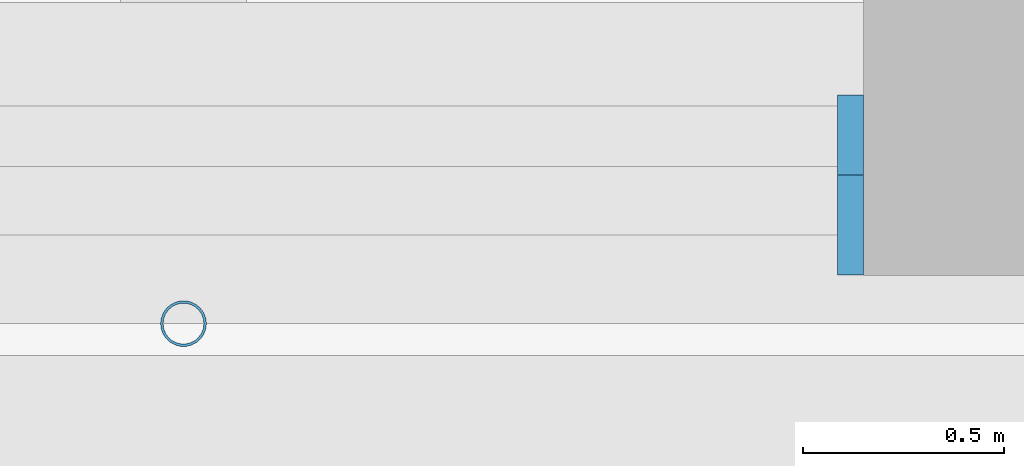
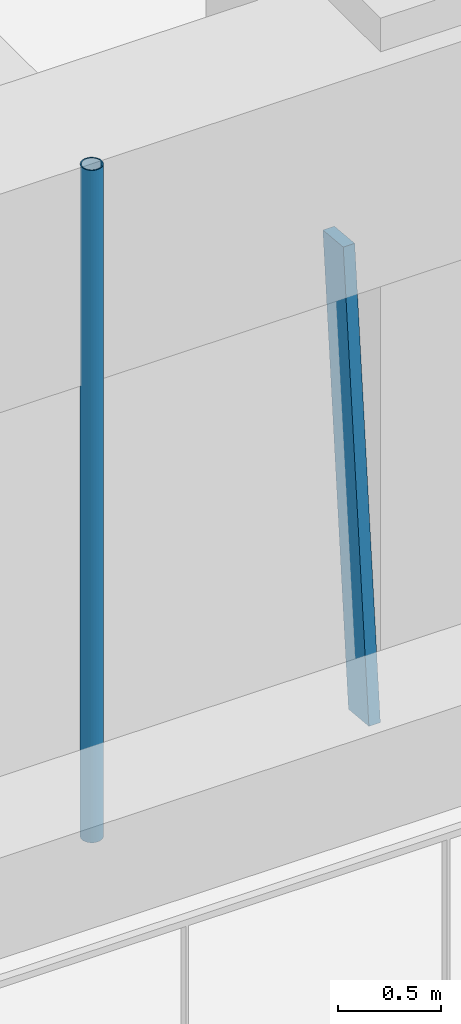
# One storey, part 4 of 24: 2 members, 1 element without a shape of its own.
"""IFC4 building model written with IfcOpenShell, lengths in metres."""

import ifcopenshell
import ifcopenshell.guid

model = None  # the IFC model being written
_history = None  # IfcOwnerHistory: only IFC2X3 demands one
_inside = {}  # id of a spatial element -> (the spatial element, [elements in it])
_under = {}  # id of a project, library or spatial element -> (it, [spatial elements below it])
_declared = {}  # id of a project -> (the project, [libraries it declares])
_typed = {}  # id of a type object -> (the type object, [elements of that type])
_made_of = {}  # id of a material, layer set ... -> (it, [elements and type objects made of it])


def new_model(schema):
    """Start an empty IFC model of exactly this schema.

    Asked for "IFC4X3", IfcOpenShell would pick the latest addendum, in which some entities
    have other attributes; the version numbers below select the first issue.
    IFC2X3 requires an IfcOwnerHistory on every rooted entity: one is made here for all.
    """
    global model, _history
    if schema == "IFC4X3":
        model = ifcopenshell.file(schema_version=(4, 3, 0, 0))
    else:
        model = ifcopenshell.file(schema=schema)
    _inside.clear()
    _under.clear()
    _declared.clear()
    _typed.clear()
    _made_of.clear()
    _history = None
    if model.schema == "IFC2X3":
        org = make("IfcOrganization", Name="unknown")
        user = make(
            "IfcPersonAndOrganization",
            ThePerson=make("IfcPerson", FamilyName="unknown"),
            TheOrganization=org,
        )
        app = make(
            "IfcApplication",
            ApplicationDeveloper=org,
            Version="unknown",
            ApplicationFullName="unknown",
            ApplicationIdentifier="unknown",
        )
        _history = make(
            "IfcOwnerHistory",
            OwningUser=user,
            OwningApplication=app,
            ChangeAction="ADDED",
            CreationDate=0,
        )
    return model


def make(cls, **values):
    """One entity of the class cls with the attributes given. An attribute that is None is left unset."""
    return model.create_entity(
        cls, **{name: value for name, value in values.items() if value is not None}
    )


def rooted(cls, **values):
    """An entity with a GlobalId (a new one), such as an element, a storey or a relation."""
    return make(cls, GlobalId=ifcopenshell.guid.new(), OwnerHistory=_history, **values)


def si_unit(unit_type, name, prefix=None):
    """IfcSIUnit, for example si_unit("LENGTHUNIT", "METRE", prefix="MILLI")."""
    return make("IfcSIUnit", UnitType=unit_type, Prefix=prefix, Name=name)


def assignment(units):
    """IfcUnitAssignment: the units of a project."""
    return None if units is None else make("IfcUnitAssignment", Units=units)


def point(xyz):
    """IfcCartesianPoint."""
    return None if xyz is None else make("IfcCartesianPoint", Coordinates=xyz)


def direction(xyz):
    """IfcDirection."""
    return None if xyz is None else make("IfcDirection", DirectionRatios=xyz)


def frame(location, z_axis=None, x_axis=None):
    """IfcAxis2Placement3D, a coordinate frame: its origin and axes. An axis left out is left unset."""
    return make(
        "IfcAxis2Placement3D",
        Location=point(location),
        Axis=direction(z_axis),
        RefDirection=direction(x_axis),
    )


def frame_2d(location, x_axis=None):
    """IfcAxis2Placement2D, a coordinate frame in the plane: its origin and x axis."""
    return make(
        "IfcAxis2Placement2D", Location=point(location), RefDirection=direction(x_axis)
    )


def origin():
    """The frame at (0, 0, 0) with its axes left unset."""
    return frame((0.0, 0.0, 0.0))


def origin_2d():
    """The frame at (0, 0) in the plane with its x axis left unset."""
    return frame_2d((0.0, 0.0))


def place(relative_to, where):
    """IfcLocalPlacement: puts the frame where relative to a parent placement (None: the world)."""
    return make(
        "IfcLocalPlacement", PlacementRelTo=relative_to, RelativePlacement=where
    )


def context(
    kind, dimensions, precision=None, world=None, true_north=None, identifier=None
):
    """IfcGeometricRepresentationContext, for example the 3D "Model" context."""
    return make(
        "IfcGeometricRepresentationContext",
        ContextIdentifier=identifier,
        ContextType=kind,
        CoordinateSpaceDimension=dimensions,
        Precision=precision,
        WorldCoordinateSystem=world,
        TrueNorth=true_north,
    )


def subcontext(parent, identifier, kind, view, scale=None):
    """IfcGeometricRepresentationSubContext, for example "Body" below "Model"."""
    return make(
        "IfcGeometricRepresentationSubContext",
        ContextIdentifier=identifier,
        ContextType=kind,
        ParentContext=parent,
        TargetScale=scale,
        TargetView=view,
    )


def project(units=None, contexts=None):
    """IfcProject with its units and contexts."""
    return rooted(
        "IfcProject",
        Name="project",
        RepresentationContexts=contexts,
        UnitsInContext=assignment(units),
    )


def spatial(cls, under=None, at=None, **own):
    """A site, building, storey or space (cls), placed at a placement, below another one or the project."""
    s = rooted(cls, ObjectPlacement=at, **own)
    if under is not None:
        _under.setdefault(under.id(), (under, []))[1].append(s)
    return s


def profile(cls, at=None, kind="AREA", **sizes):
    """A parametric profile (cls). Its sizes go by their IFC names, for example OverallWidth=200.0."""
    return make(cls, ProfileType=kind, Position=at, **sizes)


def rectangle(**sizes):
    """IfcRectangleProfileDef."""
    return profile("IfcRectangleProfileDef", **sizes)


def hollow_circle(**sizes):
    """IfcCircleHollowProfileDef."""
    return profile("IfcCircleHollowProfileDef", **sizes)


def extrude(swept, where, along, depth):
    """IfcExtrudedAreaSolid: the profile swept, set in the frame where, extruded along a direction by depth."""
    return make(
        "IfcExtrudedAreaSolid",
        SweptArea=swept,
        Position=where,
        ExtrudedDirection=direction(along),
        Depth=depth,
    )


def shape(context_of_items, identifier, shape_type, items):
    """IfcShapeRepresentation: the items that make up one representation, for example the "Body"."""
    return make(
        "IfcShapeRepresentation",
        ContextOfItems=context_of_items,
        RepresentationIdentifier=identifier,
        RepresentationType=shape_type,
        Items=items,
    )


def material(Name=None, Category=None):
    """IfcMaterial."""
    return make("IfcMaterial", Name=Name, Category=Category)


def material_profile(
    of_material, cross_section, Name=None, Category=None, Priority=None
):
    """IfcMaterialProfile: a cross section and its material."""
    return make(
        "IfcMaterialProfile",
        Name=Name,
        Material=of_material,
        Profile=cross_section,
        Priority=Priority,
        Category=Category,
    )


def profile_set(profiles, Name=None, composite=None):
    """IfcMaterialProfileSet."""
    return make(
        "IfcMaterialProfileSet",
        Name=Name,
        MaterialProfiles=profiles,
        CompositeProfile=composite,
    )


def made_of(thing, what):
    """Note that an element or type object is made of a material, layer set ...; save() writes the relation."""
    if what is not None:
        _made_of.setdefault(what.id(), (what, []))[1].append(thing)
    return thing


def type_object(cls, material=None, **own):
    """A type object (cls), such as IfcWallType, which elements share."""
    return made_of(rooted(cls, **own), material)


def element(
    cls,
    number,
    at=None,
    inside=None,
    cuts=None,
    type_object=None,
    material=None,
    context=None,
    identifier="Body",
    shape_type=None,
    held_by="IfcProductDefinitionShape",
    body=None,
    shapes=None,
    **own,
):
    """One element of the class cls, such as IfcWall. Its Tag is "e" and its number.

    at: its placement. inside: the storey or other place that contains it. cuts: it is an
    opening in that element (IfcRelVoidsElement). A single representation is given by context,
    identifier, shape_type and body (its items); several are given by shapes. held_by: the class
    of the entity that holds the representations. save() writes the other relations.
    """
    e = rooted(cls, Tag="e%d" % number, ObjectPlacement=at, **own)
    if body is not None:
        shapes = [shape(context, identifier, shape_type, body)]
    if shapes is not None:
        e.Representation = make(held_by, Representations=shapes)
    if inside is not None:
        _inside.setdefault(inside.id(), (inside, []))[1].append(e)
    if cuts is not None:
        rooted(
            "IfcRelVoidsElement", RelatingBuildingElement=cuts, RelatedOpeningElement=e
        )
    if type_object is not None:
        _typed.setdefault(type_object.id(), (type_object, []))[1].append(e)
    return made_of(e, material)


def aggregate(whole, parts):
    """IfcRelAggregates: a whole, such as a stair, and the parts it consists of."""
    return rooted("IfcRelAggregates", RelatingObject=whole, RelatedObjects=parts)


def save(model, path):
    """Write the relations noted so far, then the file.

    IfcRelAggregates (storeys below a building ...), IfcRelContainedInSpatialStructure (elements
    in a storey), IfcRelDefinesByType, IfcRelAssociatesMaterial and IfcRelDeclares: one each for
    every whole, place, type object, material and project.
    """
    for whole, parts in _under.values():
        aggregate(whole, parts)
    for where, things in _inside.values():
        rooted(
            "IfcRelContainedInSpatialStructure",
            RelatedElements=things,
            RelatingStructure=where,
        )
    for kind, things in _typed.values():
        rooted("IfcRelDefinesByType", RelatedObjects=things, RelatingType=kind)
    for what, things in _made_of.values():
        rooted("IfcRelAssociatesMaterial", RelatedObjects=things, RelatingMaterial=what)
    for by, libraries in _declared.values():
        rooted("IfcRelDeclares", RelatingContext=by, RelatedDefinitions=libraries)
    model.write(path)


model = new_model("IFC4")

# Units and contexts
model_context = context("Model", 3, precision=1e-05, world=origin(), true_north=direction((0.0, 1.0)))
body_context = subcontext(model_context, "Body", "Model", "MODEL_VIEW")
ifc_project = project(units=[si_unit("LENGTHUNIT", "METRE"), si_unit("AREAUNIT", "SQUARE_METRE"), si_unit("VOLUMEUNIT", "CUBIC_METRE"), si_unit("PLANEANGLEUNIT", "RADIAN"), si_unit("MASSUNIT", "GRAM", prefix="KILO")], contexts=[model_context])

# Site, building, storey
site_placement = place(None, origin())
site = spatial("IfcSite", under=ifc_project, at=site_placement, CompositionType="ELEMENT")
building_placement = place(site_placement, origin())
building = spatial("IfcBuilding", under=site, at=building_placement, Name="Tarfa Lantern Tower", CompositionType="ELEMENT")
storey_placement = place(building_placement, frame((0.0, 0.0, 65.5)))
storey = spatial("IfcBuildingStorey", under=building, at=storey_placement, Name="L14", CompositionType="ELEMENT", Elevation=65.5)

# Curtain wall, member
ifc_material_1 = material(Name="Aluminium framed curtain wall", Category="aluminium")
curtain_wall_type = type_object("IfcCurtainWallType", Name="CW1 CANTED GLAZING LOW ZONE 2700", PredefinedType="USERDEFINED", material=ifc_material_1)
curtain_wall_placement = place(storey_placement, origin())
curtain_wall = element("IfcCurtainWall", 1, at=curtain_wall_placement, inside=storey, type_object=curtain_wall_type, Name="CW1 S L14", ObjectType="CURTAIN WALL", PredefinedType="USERDEFINED")
ifc_material_2 = material(Name="Aluminium mullion", Category="aluminium")
ifc_material_profile_1 = material_profile(ifc_material_2, rectangle(XDim=0.06494140625, YDim=0.199951171875, at=origin_2d()), Name="AL MULLION 65x200")
ifc_profile_set_1 = profile_set([ifc_material_profile_1], Name="Aluminium mullion")
member_type_1 = type_object("IfcMemberType", Name="CWM1 MULLION 65x200", PredefinedType="MULLION", material=ifc_profile_set_1)
member_1_placement = place(storey_placement, frame((9.74462890625, -33.89990234375, 0.0), z_axis=(0.0, 0.092199863775, 0.995740520979), x_axis=(-1.0, 0.0, 0.0)))
member_1 = element("IfcMember", 2, at=member_1_placement, type_object=member_type_1, Name="CW1 mullion 2", PredefinedType="MULLION", context=body_context, shape_type="SweptSolid", body=[
    extrude(rectangle(XDim=0.06494140625, YDim=0.199951171875, at=origin_2d()), origin(), (0.0, 0.0, 1.0), 2.71142578125),
])
aggregate(curtain_wall, [member_1])

# Member
ifc_material_3 = material(Name="Steel S355", Category="steel")
ifc_material_profile_2 = material_profile(ifc_material_3, hollow_circle(Radius=0.05712890625, WallThickness=0.00634765625, at=origin_2d()), Name="CHS114.3x6.3")
ifc_profile_set_2 = profile_set([ifc_material_profile_2], Name="Steel S355")
member_type_2 = type_object("IfcMemberType", Name="TR1 GREEN WALL TRELLIS CHS114.3x6.3", PredefinedType="USERDEFINED", material=ifc_profile_set_2)
member_2_placement = place(storey_placement, frame((8.0830078125, -34.1201171875, 0.0), z_axis=(0.0, 0.0, 1.0), x_axis=(1.0, 0.0, 0.0)))
element("IfcMember", 3, at=member_2_placement, inside=storey, type_object=member_type_2, Name="Trellis post S 2", ObjectType="TRELLIS", PredefinedType="USERDEFINED", context=body_context, shape_type="SweptSolid", body=[
    extrude(hollow_circle(Radius=0.05712890625, WallThickness=0.00634765625, at=origin_2d()), origin(), (0.0, 0.0, 1.0), 4.0),
])

save(model, "model.ifc")
